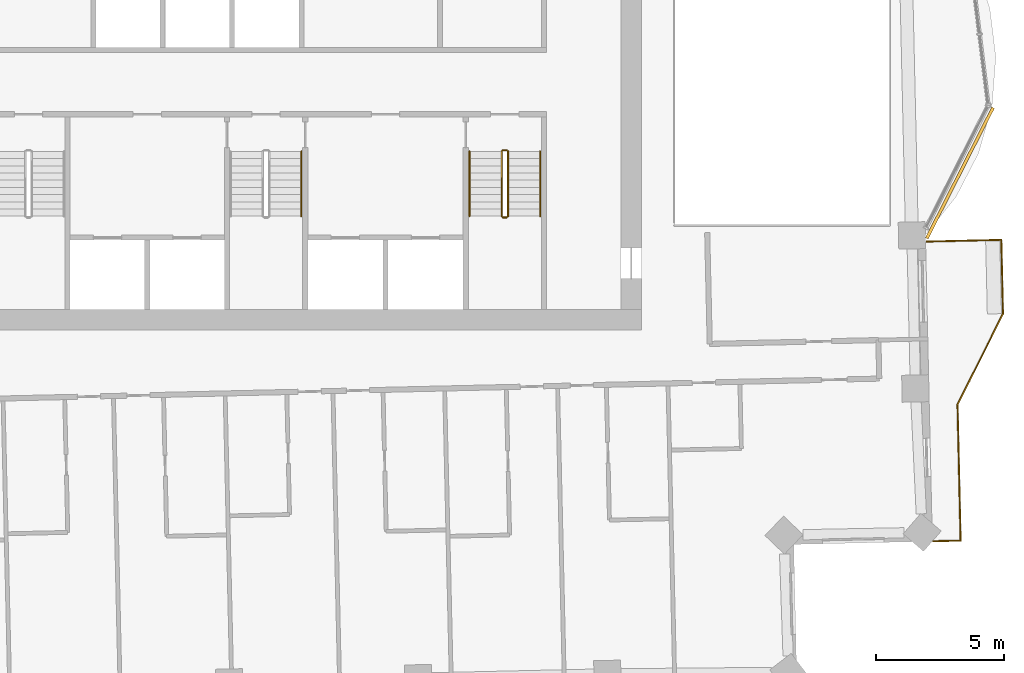
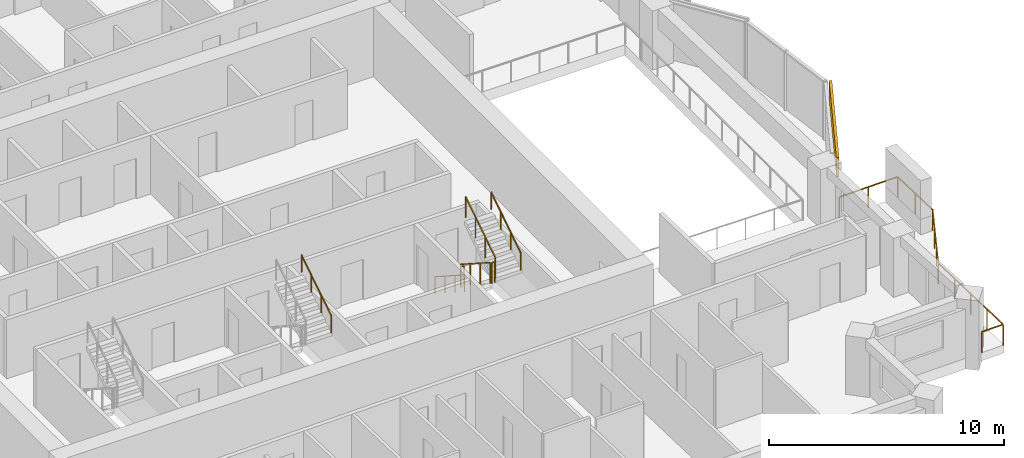
# One storey, part 16 of 17: 8 railings, 1 covering.
"""IFC4 building model written with IfcOpenShell, lengths in metres."""

from ifc_helpers import new_model, si_unit, direction, frame, frame_2d, origin, origin_2d, place, context, subcontext, project, spatial, rectangle, circle, extrude, material, layer, layer_set, type_object, element, save


model = new_model("IFC4")

# Units and contexts
model_context = context("Model", 3, precision=1e-05, world=origin(), true_north=direction((0.0, 1.0)))
body_context = subcontext(model_context, "Body", "Model", "MODEL_VIEW")
ifc_project = project(units=[si_unit("LENGTHUNIT", "METRE"), si_unit("AREAUNIT", "SQUARE_METRE"), si_unit("VOLUMEUNIT", "CUBIC_METRE"), si_unit("PLANEANGLEUNIT", "RADIAN"), si_unit("MASSUNIT", "GRAM", prefix="KILO")], contexts=[model_context])

# Site, building, storey
site_placement = place(None, origin())
site = spatial("IfcSite", under=ifc_project, at=site_placement, CompositionType="ELEMENT")
building_placement = place(site_placement, origin())
building = spatial("IfcBuilding", under=site, at=building_placement, Name="Mangrove Gate Tower", CompositionType="ELEMENT")
storey_placement = place(building_placement, frame((0.0, 0.0, 245.5)))
storey = spatial("IfcBuildingStorey", under=building, at=storey_placement, Name="L62", CompositionType="ELEMENT", Elevation=245.5)

# Railings
ifc_material_1 = material(Name="Stainless steel grade 316 with laminated glass infill", Category="steel")
railing_type_1 = type_object("IfcRailingType", Name="Balcony guard 1100", PredefinedType="GUARDRAIL", material=ifc_material_1)
railing_1_placement = place(storey_placement, frame((25.964111328125, -19.8291015625, 0.0)))
element("IfcRailing", 1, at=railing_1_placement, inside=storey, type_object=railing_type_1, Name="GUARD L62 E1", PredefinedType="GUARDRAIL", context=body_context, shape_type="SweptSolid", body=[
    extrude(rectangle(XDim=0.048095703125, YDim=0.048095703125, at=origin_2d()), frame((0.0, 0.0, 1.076171875), z_axis=(0.999739569486, 0.022820894023, 0.0), x_axis=(-0.022820894023, 0.999739569486, 0.0)), (0.0, 0.0, 1.0), 1.05908203125),
    extrude(rectangle(XDim=0.048095703125, YDim=0.048095703125, at=origin_2d()), frame((1.058837890625, 0.024169921875, 1.076171875), z_axis=(-0.022620938244, 0.999744113838, 0.0), x_axis=(-0.999744113838, -0.022620938244, 0.0)), (0.0, 0.0, 1.0), 5.29931640625),
    extrude(rectangle(XDim=0.048095703125, YDim=0.048095703125, at=origin_2d()), frame((0.93896484375, 5.322021484375, 1.076171875), z_axis=(0.447114919141, 0.894476522376, 0.0), x_axis=(-0.894476522376, 0.447114919141, 0.0)), (0.0, 0.0, 1.0), 3.958740234375),
    extrude(rectangle(XDim=0.048095703125, YDim=0.048095703125, at=origin_2d()), frame((2.708984375, 8.863037109375, 1.076171875), z_axis=(-0.022675106248, 0.999742886725, 0.0), x_axis=(-0.999742886725, -0.022675106248, 0.0)), (0.0, 0.0, 1.0), 2.874755859375),
    extrude(rectangle(XDim=0.048095703125, YDim=0.048095703125, at=origin_2d()), frame((2.643798828125, 11.737060546875, 1.076171875), z_axis=(-0.999743349437, -0.022654696127, 0.0), x_axis=(0.022654696127, -0.999743349437, 0.0)), (0.0, 0.0, 1.0), 2.90966796875),
    extrude(rectangle(XDim=0.0419921875, YDim=0.0419921875, at=origin_2d()), origin(), (0.0, 0.0, 1.0), 1.052001953125),
    extrude(rectangle(XDim=0.0419921875, YDim=0.0419921875, at=origin_2d()), frame((1.058837890625, 0.024169921875, 0.0)), (0.0, 0.0, 1.0), 1.052001953125),
    extrude(rectangle(XDim=0.0419921875, YDim=0.0419921875, at=origin_2d()), frame((1.02880859375, 1.3486328125, 0.0)), (0.0, 0.0, 1.0), 1.052001953125),
    extrude(rectangle(XDim=0.0419921875, YDim=0.0419921875, at=origin_2d()), frame((0.9990234375, 2.673095703125, 0.0)), (0.0, 0.0, 1.0), 1.052001953125),
    extrude(rectangle(XDim=0.0419921875, YDim=0.0419921875, at=origin_2d()), frame((0.968994140625, 3.99755859375, 0.0)), (0.0, 0.0, 1.0), 1.052001953125),
    extrude(rectangle(XDim=0.0419921875, YDim=0.0419921875, at=origin_2d()), frame((0.93896484375, 5.322021484375, 0.0)), (0.0, 0.0, 1.0), 1.052001953125),
    extrude(rectangle(XDim=0.0419921875, YDim=0.0419921875, at=origin_2d()), frame((1.529052734375, 6.50244140625, 0.0)), (0.0, 0.0, 1.0), 1.052001953125),
    extrude(rectangle(XDim=0.0419921875, YDim=0.0419921875, at=origin_2d()), frame((2.118896484375, 7.6826171875, 0.0)), (0.0, 0.0, 1.0), 1.052001953125),
    extrude(rectangle(XDim=0.0419921875, YDim=0.0419921875, at=origin_2d()), frame((2.708984375, 8.863037109375, 0.0)), (0.0, 0.0, 1.0), 1.052001953125),
    extrude(rectangle(XDim=0.0419921875, YDim=0.0419921875, at=origin_2d()), frame((2.67626953125, 10.300048828125, 0.0)), (0.0, 0.0, 1.0), 1.052001953125),
    extrude(rectangle(XDim=0.0419921875, YDim=0.0419921875, at=origin_2d()), frame((2.643798828125, 11.737060546875, 0.0)), (0.0, 0.0, 1.0), 1.052001953125),
    extrude(rectangle(XDim=0.0419921875, YDim=0.0419921875, at=origin_2d()), frame((1.189453125, 11.7041015625, 0.0)), (0.0, 0.0, 1.0), 1.052001953125),
    extrude(rectangle(XDim=0.0419921875, YDim=0.0419921875, at=origin_2d()), frame((-0.26513671875, 11.671142578125, 0.0)), (0.0, 0.0, 1.0), 1.052001953125),
])
ifc_material_2 = material(Name="Stainless steel 316", Category="steel")
railing_type_2 = type_object("IfcRailingType", Name="Core stair guard 1100", PredefinedType="GUARDRAIL", material=ifc_material_2)
railing_2_placement = place(storey_placement, frame((9.14990234375, -4.64990234375, 0.179931640625)))
element("IfcRailing", 2, at=railing_2_placement, inside=storey, type_object=railing_type_2, Name="L62 ST3 stair guard 1", PredefinedType="GUARDRAIL", context=body_context, shape_type="SweptSolid", body=[
    extrude(rectangle(XDim=0.048095703125, YDim=0.048095703125, at=origin_2d()), frame((0.0, 0.0, 1.076171875), z_axis=(0.0, -0.841162588446, 0.540782303519), x_axis=(1.0, 0.0, 0.0)), (0.0, 0.0, 1.0), 2.995849609375),
    extrude(rectangle(XDim=0.0419921875, YDim=0.0419921875, at=origin_2d()), origin(), (0.0, 0.0, 1.0), 1.052001953125),
    extrude(rectangle(XDim=0.0419921875, YDim=0.0419921875, at=origin_2d()), frame((0.0, -0.840087890625, 0.5400390625)), (0.0, 0.0, 1.0), 1.052001953125),
    extrude(rectangle(XDim=0.0419921875, YDim=0.0419921875, at=origin_2d()), frame((0.0, -1.679931640625, 1.080078125)), (0.0, 0.0, 1.0), 1.052001953125),
    extrude(rectangle(XDim=0.0419921875, YDim=0.0419921875, at=origin_2d()), frame((0.0, -2.52001953125, 1.6201171875)), (0.0, 0.0, 1.0), 1.052001953125),
])
railing_3_placement = place(storey_placement, frame((9.199951171875, -7.219970703125, 1.800048828125)))
element("IfcRailing", 3, at=railing_3_placement, inside=storey, type_object=railing_type_2, Name="L62 ST3 stair guard 2", PredefinedType="GUARDRAIL", context=body_context, shape_type="SweptSolid", body=[
    extrude(rectangle(XDim=0.048095703125, YDim=0.048095703125, at=origin_2d()), frame((0.0, 0.0, 1.076171875), z_axis=(1.0, 0.0, 0.0), x_axis=(0.0, 1.0, 0.0)), (0.0, 0.0, 1.0), 0.150146484375),
    extrude(rectangle(XDim=0.0419921875, YDim=0.0419921875, at=origin_2d()), origin(), (0.0, 0.0, 1.0), 1.052001953125),
    extrude(rectangle(XDim=0.0419921875, YDim=0.0419921875, at=origin_2d()), frame((0.150146484375, 0.0, 0.0)), (0.0, 0.0, 1.0), 1.052001953125),
])
railing_4_placement = place(storey_placement, frame((9.39990234375, -7.169921875, 1.97998046875)))
element("IfcRailing", 4, at=railing_4_placement, inside=storey, type_object=railing_type_2, Name="L62 ST3 stair guard 3", PredefinedType="GUARDRAIL", context=body_context, shape_type="SweptSolid", body=[
    extrude(rectangle(XDim=0.048095703125, YDim=0.048095703125, at=origin_2d()), frame((0.0, 0.0, 1.076171875), z_axis=(0.0, 0.841162588446, 0.540782303519), x_axis=(-1.0, 0.0, 0.0)), (0.0, 0.0, 1.0), 2.995849609375),
    extrude(rectangle(XDim=0.0419921875, YDim=0.0419921875, at=origin_2d()), origin(), (0.0, 0.0, 1.0), 1.052001953125),
    extrude(rectangle(XDim=0.0419921875, YDim=0.0419921875, at=origin_2d()), frame((0.0, 0.840087890625, 0.5400390625)), (0.0, 0.0, 1.0), 1.052001953125),
    extrude(rectangle(XDim=0.0419921875, YDim=0.0419921875, at=origin_2d()), frame((0.0, 1.679931640625, 1.080078125)), (0.0, 0.0, 1.0), 1.052001953125),
    extrude(rectangle(XDim=0.0419921875, YDim=0.0419921875, at=origin_2d()), frame((0.0, 2.52001953125, 1.6201171875)), (0.0, 0.0, 1.0), 1.052001953125),
])
railing_5_placement = place(storey_placement, frame((9.199951171875, -4.60009765625, 0.0)))
element("IfcRailing", 5, at=railing_5_placement, inside=storey, type_object=railing_type_2, Name="L62 ST3 stair guard 4", PredefinedType="GUARDRAIL", context=body_context, shape_type="SweptSolid", body=[
    extrude(rectangle(XDim=0.048095703125, YDim=0.048095703125, at=origin_2d()), frame((0.0, 0.0, 1.076171875), z_axis=(1.0, 0.0, 0.0), x_axis=(0.0, 1.0, 0.0)), (0.0, 0.0, 1.0), 0.150146484375),
    extrude(rectangle(XDim=0.0419921875, YDim=0.0419921875, at=origin_2d()), origin(), (0.0, 0.0, 1.0), 1.052001953125),
    extrude(rectangle(XDim=0.0419921875, YDim=0.0419921875, at=origin_2d()), frame((0.150146484375, 0.0, 0.0)), (0.0, 0.0, 1.0), 1.052001953125),
])
ifc_material_3 = material(Name="Stainless steel 316", Category="steel")
railing_type_3 = type_object("IfcRailingType", Name="Core stair handrail 900", PredefinedType="HANDRAIL", material=ifc_material_3)
railing_6_placement = place(storey_placement, frame((1.35009765625, -7.169921875, 1.97998046875)))
element("IfcRailing", 6, at=railing_6_placement, inside=storey, type_object=railing_type_3, Name="L62 ST2 stair handrail 2", PredefinedType="HANDRAIL", context=body_context, shape_type="SweptSolid", body=[
    extrude(circle(Radius=0.02392578125, at=origin_2d()), frame((0.0, 0.0, 0.8759765625), z_axis=(0.0, 0.841162588446, 0.540782303519), x_axis=(-1.0, 0.0, 0.0)), (0.0, 0.0, 1.0), 2.995849609375),
    extrude(circle(Radius=0.02099609375, at=origin_2d()), origin(), (0.0, 0.0, 1.0), 0.851806640625),
    extrude(circle(Radius=0.02099609375, at=origin_2d()), frame((0.0, 0.840087890625, 0.5400390625)), (0.0, 0.0, 1.0), 0.851806640625),
    extrude(circle(Radius=0.02099609375, at=origin_2d()), frame((0.0, 1.679931640625, 1.080078125)), (0.0, 0.0, 1.0), 0.851806640625),
    extrude(circle(Radius=0.02099609375, at=origin_2d()), frame((0.0, 2.52001953125, 1.6201171875)), (0.0, 0.0, 1.0), 0.851806640625),
])
railing_7_placement = place(storey_placement, frame((7.89990234375, -4.64990234375, 0.179931640625)))
element("IfcRailing", 7, at=railing_7_placement, inside=storey, type_object=railing_type_3, Name="L62 ST3 stair handrail 1", PredefinedType="HANDRAIL", context=body_context, shape_type="SweptSolid", body=[
    extrude(circle(Radius=0.02392578125, at=origin_2d()), frame((0.0, 0.0, 0.8759765625), z_axis=(0.0, -0.841162588446, 0.540782303519), x_axis=(1.0, 0.0, 0.0)), (0.0, 0.0, 1.0), 2.995849609375),
    extrude(circle(Radius=0.02099609375, at=origin_2d()), origin(), (0.0, 0.0, 1.0), 0.851806640625),
    extrude(circle(Radius=0.02099609375, at=origin_2d()), frame((0.0, -0.840087890625, 0.5400390625)), (0.0, 0.0, 1.0), 0.851806640625),
    extrude(circle(Radius=0.02099609375, at=origin_2d()), frame((0.0, -1.679931640625, 1.080078125)), (0.0, 0.0, 1.0), 0.851806640625),
    extrude(circle(Radius=0.02099609375, at=origin_2d()), frame((0.0, -2.52001953125, 1.6201171875)), (0.0, 0.0, 1.0), 0.851806640625),
])
railing_8_placement = place(storey_placement, frame((10.64990234375, -7.169921875, 1.97998046875)))
element("IfcRailing", 8, at=railing_8_placement, inside=storey, type_object=railing_type_3, Name="L62 ST3 stair handrail 2", PredefinedType="HANDRAIL", context=body_context, shape_type="SweptSolid", body=[
    extrude(circle(Radius=0.02392578125, at=origin_2d()), frame((0.0, 0.0, 0.8759765625), z_axis=(0.0, 0.841162588446, 0.540782303519), x_axis=(-1.0, 0.0, 0.0)), (0.0, 0.0, 1.0), 2.995849609375),
    extrude(circle(Radius=0.02099609375, at=origin_2d()), origin(), (0.0, 0.0, 1.0), 0.851806640625),
    extrude(circle(Radius=0.02099609375, at=origin_2d()), frame((0.0, 0.840087890625, 0.5400390625)), (0.0, 0.0, 1.0), 0.851806640625),
    extrude(circle(Radius=0.02099609375, at=origin_2d()), frame((0.0, 1.679931640625, 1.080078125)), (0.0, 0.0, 1.0), 0.851806640625),
    extrude(circle(Radius=0.02099609375, at=origin_2d()), frame((0.0, 2.52001953125, 1.6201171875)), (0.0, 0.0, 1.0), 0.851806640625),
])

# Covering
ifc_material_4 = material(Name="Limestone", Category="masonry")
ifc_layer_1 = layer(ifc_material_4, 0.0400390625, Name="Limestone cladding")
ifc_material_5 = material(Name="Stainless steel anchors and cavity", Category="steel")
ifc_layer_2 = layer(ifc_material_5, 0.080078125, Name="Fixing cavity")
ifc_layer_set = layer_set([ifc_layer_1, ifc_layer_2], Name="Joint fascia cladding 120")
covering_type = type_object("IfcCoveringType", Name="Joint fascia cladding 120", PredefinedType="CLADDING", material=ifc_layer_set)
covering_placement = place(storey_placement, frame((25.705810546875, -8.0322265625, 2.050048828125), z_axis=(0.0, 0.0, 1.0), x_axis=(0.452631638667, 0.891697594299, 0.0)))
element("IfcCovering", 9, at=covering_placement, inside=storey, type_object=covering_type, Name="STONE FASCIA L62 E1.L1", PredefinedType="CLADDING", context=body_context, shape_type="SweptSolid", body=[
    extrude(rectangle(XDim=5.705078125, YDim=0.1201171875, at=frame_2d((2.8525390625, 0.0))), origin(), (0.0, 0.0, 1.0), 1.0),
])

save(model, "model.ifc")
